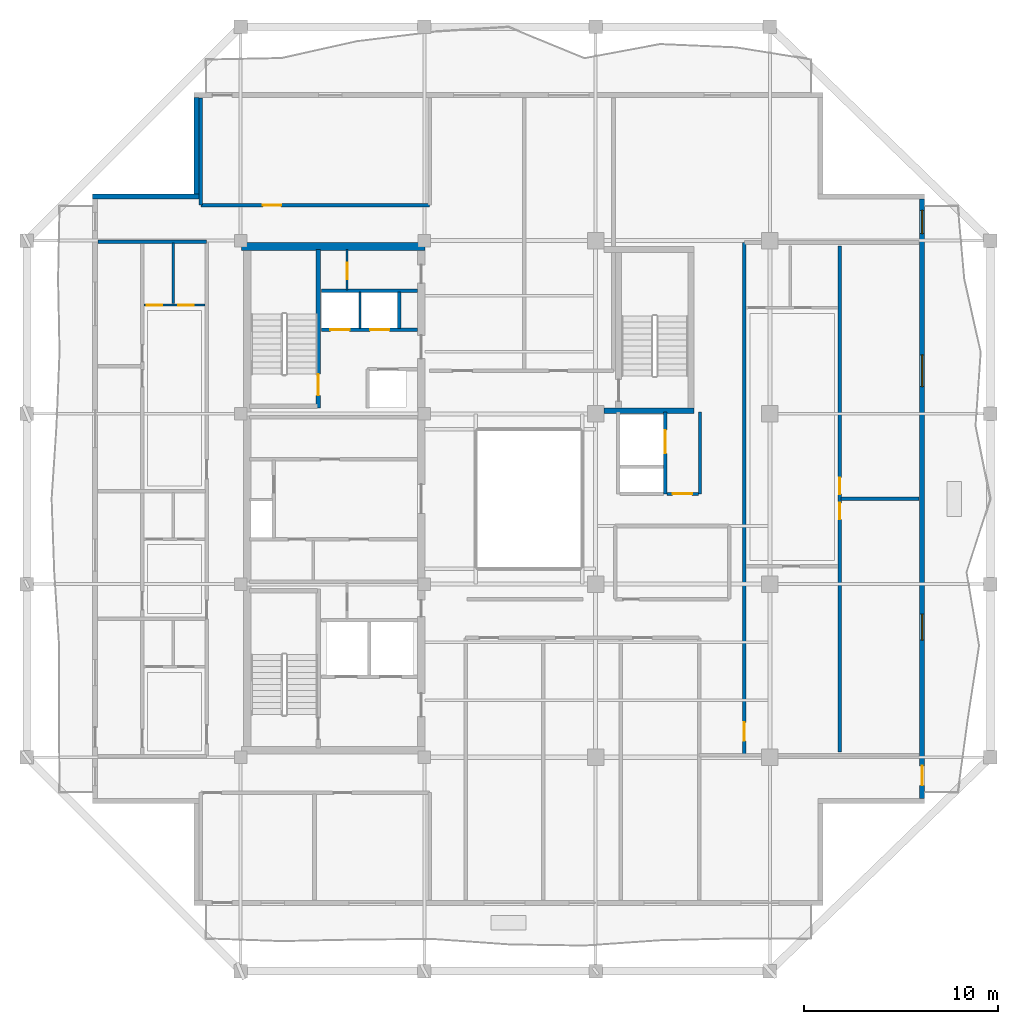
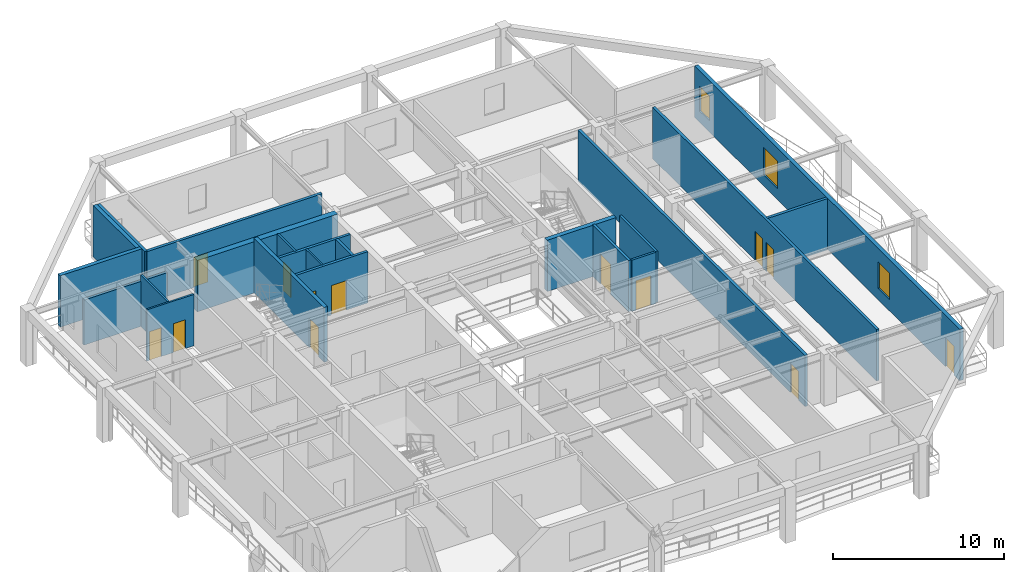
# One storey, part 5 of 11: 22 walls, 13 doors, 3 windows, 16 openings.
"""IFC4 building model written with IfcOpenShell, lengths in metres."""

from ifc_helpers import new_model, si_unit, direction, frame, frame_2d, origin, place, context, subcontext, project, spatial, rectangle, extrude, material, layer, layer_set, type_object, element, fill, save


model = new_model("IFC4")

# Units and contexts
model_context = context("Model", 3, precision=1e-05, world=origin(), true_north=direction((0.0, 1.0)))
body_context = subcontext(model_context, "Body", "Model", "MODEL_VIEW")
ifc_project = project(units=[si_unit("LENGTHUNIT", "METRE"), si_unit("AREAUNIT", "SQUARE_METRE"), si_unit("VOLUMEUNIT", "CUBIC_METRE"), si_unit("PLANEANGLEUNIT", "RADIAN"), si_unit("MASSUNIT", "GRAM", prefix="KILO")], contexts=[model_context])

# Site, building, storey
site_placement = place(None, origin())
site = spatial("IfcSite", under=ifc_project, at=site_placement, CompositionType="ELEMENT")
building_placement = place(site_placement, origin())
building = spatial("IfcBuilding", under=site, at=building_placement, Name="Kundavana Baori Tower", CompositionType="ELEMENT")
storey_placement = place(building_placement, frame((0.0, 0.0, 264.800048828125)))
storey = spatial("IfcBuildingStorey", under=building, at=storey_placement, Name="L65", CompositionType="ELEMENT", Elevation=264.800048828125)

# Wall
ifc_material_1 = material(Name="Concrete C50/60", Category="concrete")
ifc_layer_1 = layer(ifc_material_1, 0.39990234375, Name="WL-CORE-400")
ifc_layer_set_1 = layer_set([ifc_layer_1], Name="Concrete C50/60")
wall_type_1 = type_object("IfcWallType", Name="WL-CORE-400", PredefinedType="SHEAR", material=ifc_layer_set_1)
wall_1_placement = place(storey_placement, frame((15.5, 41.639892578125, 0.0), z_axis=(0.0, 0.0, 1.0), x_axis=(1.0, 0.0, 0.0)))
element("IfcWall", 1, at=wall_1_placement, inside=storey, type_object=wall_type_1, Name="L65 Offset Core North Shear Wall", PredefinedType="SHEAR", context=body_context, shape_type="SweptSolid", body=[
    extrude(rectangle(XDim=9.47998046875, YDim=0.39990234375, at=frame_2d((4.739990234375, 0.0))), origin(), (0.0, 0.0, 1.0), 3.659912109375),
])

# Wall, opening, door
wall_2_placement = place(storey_placement, frame((19.4599609375, 33.300048828125, 0.0), z_axis=(0.0, 0.0, 1.0), x_axis=(0.0, 1.0, 0.0)))
wall_2 = element("IfcWall", 2, at=wall_2_placement, inside=storey, type_object=wall_type_1, Name="WL-L65-ST2-E", PredefinedType="SHEAR", context=body_context, shape_type="SweptSolid", body=[
    extrude(rectangle(XDim=8.179931640625, YDim=0.239990234375, at=frame_2d((4.08984375, 0.0))), origin(), (0.0, 0.0, 1.0), 3.89990234375),
])
opening_1_placement = place(wall_2_placement, frame((0.64990234375, 0.0, 0.0)))
opening_1 = element("IfcOpeningElement", 3, at=opening_1_placement, cuts=wall_2, Name="Opening FD-110", PredefinedType="OPENING", context=body_context, shape_type="SweptSolid", body=[
    extrude(rectangle(XDim=1.10009765625, YDim=2.10009765625, at=frame_2d((0.550048828125, 1.050048828125))), frame((0.0, 0.1298828125, 0.0), z_axis=(0.0, -1.0, 0.0), x_axis=(1.0, 0.0, 0.0)), (0.0, 0.0, 1.0), 0.260009765625),
])
ifc_material_2 = material(Name="Galvanised Steel Fire-Rated Door Leaf", Category="steel")
door_type_1 = type_object("IfcDoorType", Name="DR-FD120-1100", OperationType="NOTDEFINED", PredefinedType="DOOR", material=ifc_material_2)
door_1_placement = place(opening_1_placement, origin())
door_1 = element("IfcDoor", 4, at=door_1_placement, inside=storey, type_object=door_type_1, Name="DR-L65-ST2", OperationType="SINGLE_SWING_RIGHT", OverallHeight=2.10009765625, OverallWidth=1.10009765625, PredefinedType="DOOR", context=body_context, shape_type="SweptSolid", body=[
    extrude(rectangle(XDim=1.10009765625, YDim=2.10009765625, at=frame_2d((0.550048828125, 1.050048828125))), frame((0.0, 0.02490234375, 0.0), z_axis=(0.0, -1.0, 0.0), x_axis=(1.0, 0.0, 0.0)), (0.0, 0.0, 1.0), 0.050048828125),
])
fill(opening_1, door_1)

# Wall, openings, door, windows
ifc_material_3 = material(Name="Kiln-Fired Terracotta Brick-Slip Masonry on Concrete C40/50", Category="masonry")
ifc_layer_2 = layer(ifc_material_3, 0.260009765625, Name="WL-EXT-BRK-260")
ifc_layer_set_2 = layer_set([ifc_layer_2], Name="Kiln-Fired Terracotta Brick-Slip Masonry on Concrete C40/50")
wall_type_2 = type_object("IfcWallType", Name="WL-EXT-BRK-260", PredefinedType="SOLIDWALL", material=ifc_layer_set_2)
wall_3_placement = place(storey_placement, frame((50.669921875, 13.110107421875, 0.0), z_axis=(0.0, 0.0, 1.0), x_axis=(0.0, 1.0, 0.0)))
wall_3 = element("IfcWall", 5, at=wall_3_placement, inside=storey, type_object=wall_type_2, Name="L65 Exterior Insulated Facade Wall 04", PredefinedType="SOLIDWALL", context=body_context, shape_type="SweptSolid", body=[
    extrude(rectangle(XDim=30.97998046875, YDim=0.260009765625, at=frame_2d((15.489990234375, 0.0))), origin(), (0.0, 0.0, 1.0), 3.659912109375),
])
opening_2_placement = place(wall_3_placement, frame((0.68994140625, 0.0, 0.0)))
opening_2 = element("IfcOpeningElement", 6, at=opening_2_placement, cuts=wall_3, Name="Opening BD-1", PredefinedType="OPENING", context=body_context, shape_type="SweptSolid", body=[
    extrude(rectangle(XDim=1.0, YDim=2.050048828125, at=frame_2d((0.5, 1.02490234375))), frame((0.0, 0.14013671875, 0.0), z_axis=(0.0, -1.0, 0.0), x_axis=(1.0, 0.0, 0.0)), (0.0, 0.0, 1.0), 0.280029296875),
])
opening_3_placement = place(wall_3_placement, frame((8.18994140625, 0.0, 0.800048828125)))
opening_3 = element("IfcOpeningElement", 7, at=opening_3_placement, cuts=wall_3, Name="Opening W-07", PredefinedType="OPENING", context=body_context, shape_type="SweptSolid", body=[
    extrude(rectangle(XDim=1.35009765625, YDim=1.89990234375, at=frame_2d((0.675048828125, 0.949951171875))), frame((0.0, 0.14013671875, 0.0), z_axis=(0.0, -1.0, 0.0), x_axis=(1.0, 0.0, 0.0)), (0.0, 0.0, 1.0), 0.280029296875),
])
opening_4_placement = place(wall_3_placement, frame((21.2900390625, 0.0, 0.800048828125)))
opening_4 = element("IfcOpeningElement", 8, at=opening_4_placement, cuts=wall_3, Name="Opening W-08", PredefinedType="OPENING", context=body_context, shape_type="SweptSolid", body=[
    extrude(rectangle(XDim=1.64990234375, YDim=1.949951171875, at=frame_2d((0.824951171875, 0.97509765625))), frame((0.0, 0.14013671875, 0.0), z_axis=(0.0, -1.0, 0.0), x_axis=(1.0, 0.0, 0.0)), (0.0, 0.0, 1.0), 0.280029296875),
])
opening_5_placement = place(wall_3_placement, frame((29.205078125, 0.0, 0.800048828125)))
opening_5 = element("IfcOpeningElement", 9, at=opening_5_placement, cuts=wall_3, Name="Opening W-03", PredefinedType="OPENING", context=body_context, shape_type="SweptSolid", body=[
    extrude(rectangle(XDim=1.199951171875, YDim=1.75, at=frame_2d((0.60009765625, 0.875))), frame((0.0, 0.14013671875, 0.0), z_axis=(0.0, -1.0, 0.0), x_axis=(1.0, 0.0, 0.0)), (0.0, 0.0, 1.0), 0.280029296875),
])
ifc_material_4 = material(Name="Architectural Patinated Bronze Metalwork")
door_type_2 = type_object("IfcDoorType", Name="DR-EXT-LOG-1000", OperationType="NOTDEFINED", PredefinedType="DOOR", material=ifc_material_4)
door_2_placement = place(opening_2_placement, frame((1.0, 0.0, 0.0), z_axis=(0.0, 0.0, 1.0), x_axis=(-1.0, 0.0, 0.0)))
door_2 = element("IfcDoor", 10, at=door_2_placement, inside=storey, type_object=door_type_2, Name="L65 Loggia Balcony Access Door E", OperationType="SINGLE_SWING_RIGHT", OverallHeight=2.050048828125, OverallWidth=1.0, PredefinedType="DOOR", context=body_context, shape_type="SweptSolid", body=[
    extrude(rectangle(XDim=1.0, YDim=2.050048828125, at=frame_2d((0.5, 1.02490234375))), frame((0.0, 0.02490234375, 0.0), z_axis=(0.0, -1.0, 0.0), x_axis=(1.0, 0.0, 0.0)), (0.0, 0.0, 1.0), 0.050048828125),
])
fill(opening_2, door_2)
ifc_material_5 = material(Name="Double-Glazed Solar-Control Low-E Insulated Glass", Category="glass")
window_type_1 = type_object("IfcWindowType", Name="WIN-LOG-1200x1750", PartitioningType="SINGLE_PANEL", PredefinedType="WINDOW", material=ifc_material_5)
window_1_placement = place(opening_5_placement, origin())
window_1 = element("IfcWindow", 11, at=window_1_placement, inside=storey, type_object=window_type_1, Name="L65 Recessed Loggia Window E-4", OverallHeight=1.75, OverallWidth=1.199951171875, PartitioningType="SINGLE_PANEL", PredefinedType="WINDOW", context=body_context, shape_type="SweptSolid", body=[
    extrude(rectangle(XDim=1.199951171875, YDim=1.75, at=frame_2d((0.60009765625, 0.875))), frame((0.0, 0.030029296875, 0.0), z_axis=(0.0, -1.0, 0.0), x_axis=(1.0, 0.0, 0.0)), (0.0, 0.0, 1.0), 0.06005859375),
])
fill(opening_5, window_1)
ifc_material_6 = material(Name="Double-Glazed Solar-Control Low-E Insulated Glass", Category="glass")
window_type_2 = type_object("IfcWindowType", Name="WIN-LOG-1350x1900", PartitioningType="SINGLE_PANEL", PredefinedType="WINDOW", material=ifc_material_6)
window_2_placement = place(opening_3_placement, origin())
window_2 = element("IfcWindow", 12, at=window_2_placement, inside=storey, type_object=window_type_2, Name="L65 Recessed Loggia Window E-2", OverallHeight=1.89990234375, OverallWidth=1.35009765625, PartitioningType="SINGLE_PANEL", PredefinedType="WINDOW", context=body_context, shape_type="SweptSolid", body=[
    extrude(rectangle(XDim=1.35009765625, YDim=1.89990234375, at=frame_2d((0.675048828125, 0.949951171875))), frame((0.0, 0.030029296875, 0.0), z_axis=(0.0, -1.0, 0.0), x_axis=(1.0, 0.0, 0.0)), (0.0, 0.0, 1.0), 0.06005859375),
])
fill(opening_3, window_2)
ifc_material_7 = material(Name="Double-Glazed Solar-Control Low-E Insulated Glass", Category="glass")
window_type_3 = type_object("IfcWindowType", Name="WIN-LOG-1650x1950", PartitioningType="SINGLE_PANEL", PredefinedType="WINDOW", material=ifc_material_7)
window_3_placement = place(opening_4_placement, origin())
window_3 = element("IfcWindow", 13, at=window_3_placement, inside=storey, type_object=window_type_3, Name="L65 Recessed Loggia Window E-3", OverallHeight=1.949951171875, OverallWidth=1.64990234375, PartitioningType="SINGLE_PANEL", PredefinedType="WINDOW", context=body_context, shape_type="SweptSolid", body=[
    extrude(rectangle(XDim=1.64990234375, YDim=1.949951171875, at=frame_2d((0.824951171875, 0.97509765625))), frame((0.0, 0.030029296875, 0.0), z_axis=(0.0, -1.0, 0.0), x_axis=(1.0, 0.0, 0.0)), (0.0, 0.0, 1.0), 0.06005859375),
])
fill(opening_4, window_3)

# Walls
wall_4_placement = place(storey_placement, frame((13.179931640625, 49.340087890625, 0.0), z_axis=(0.0, 0.0, 1.0), x_axis=(0.0, -1.0, 0.0)))
element("IfcWall", 14, at=wall_4_placement, inside=storey, type_object=wall_type_2, Name="L65 Exterior Insulated Facade Wall 08", PredefinedType="SOLIDWALL", context=body_context, shape_type="SweptSolid", body=[
    extrude(rectangle(XDim=4.989990234375, YDim=0.260009765625, at=frame_2d((2.4951171875, 0.0))), origin(), (0.0, 0.0, 1.0), 3.659912109375),
])
wall_5_placement = place(storey_placement, frame((13.31005859375, 44.219970703125, 0.0), z_axis=(0.0, 0.0, 1.0), x_axis=(-1.0, 0.0, 0.0)))
element("IfcWall", 15, at=wall_5_placement, inside=storey, type_object=wall_type_2, Name="L65 Exterior Insulated Facade Wall 09", PredefinedType="SOLIDWALL", context=body_context, shape_type="SweptSolid", body=[
    extrude(rectangle(XDim=5.510009765625, YDim=0.260009765625, at=frame_2d((2.7548828125, 0.0))), origin(), (0.0, 0.0, 1.0), 3.659912109375),
])
ifc_material_8 = material(Name="Acoustic Gypsum Plasterboard on Galvanised Steel Studs", Category="steel")
ifc_layer_3 = layer(ifc_material_8, 0.1201171875, Name="WL-PART-120")
ifc_layer_set_3 = layer_set([ifc_layer_3], Name="Acoustic Gypsum Plasterboard on Galvanised Steel Studs")
wall_type_3 = type_object("IfcWallType", Name="WL-PART-120", PredefinedType="PARTITIONING", material=ifc_layer_set_3)
wall_6_placement = place(storey_placement, frame((21.6201171875, 37.39990234375, 0.0), z_axis=(0.0, 0.0, 1.0), x_axis=(0.0, 1.0, 0.0)))
element("IfcWall", 16, at=wall_6_placement, inside=storey, type_object=wall_type_3, Name="WL-L65-HR-DIV1", PredefinedType="PARTITIONING", context=body_context, shape_type="SweptSolid", body=[
    extrude(rectangle(XDim=1.900146484375, YDim=0.1201171875, at=frame_2d((0.9501953125, 0.0))), origin(), (0.0, 0.0, 1.0), 3.659912109375),
])

# Wall, opening, door
wall_7_placement = place(storey_placement, frame((20.949951171875, 39.39990234375, 0.0), z_axis=(0.0, 0.0, 1.0), x_axis=(0.0, 1.0, 0.0)))
wall_7 = element("IfcWall", 17, at=wall_7_placement, inside=storey, type_object=wall_type_3, Name="WL-L65-CSRV-D2", PredefinedType="PARTITIONING", context=body_context, shape_type="SweptSolid", body=[
    extrude(rectangle(XDim=2.080078125, YDim=0.1201171875, at=frame_2d((1.0400390625, 0.0))), origin(), (0.0, 0.0, 1.0), 3.659912109375),
])
opening_6_placement = place(wall_7_placement, frame((0.550048828125, 0.0, 0.0)))
opening_6 = element("IfcOpeningElement", 18, at=opening_6_placement, cuts=wall_7, Name="Opening FD-085", PredefinedType="OPENING", context=body_context, shape_type="SweptSolid", body=[
    extrude(rectangle(XDim=0.85009765625, YDim=2.06005859375, at=frame_2d((0.425048828125, 1.030029296875))), frame((0.0, 0.070068359375, 0.0), z_axis=(0.0, -1.0, 0.0), x_axis=(1.0, 0.0, 0.0)), (0.0, 0.0, 1.0), 0.14013671875),
])
ifc_material_9 = material(Name="Galvanised Steel Fire-Rated Door Leaf", Category="steel")
door_type_3 = type_object("IfcDoorType", Name="DR-FD60-850", OperationType="NOTDEFINED", PredefinedType="DOOR", material=ifc_material_9)
door_3_placement = place(opening_6_placement, origin())
door_3 = element("IfcDoor", 19, at=door_3_placement, inside=storey, type_object=door_type_3, Name="DR-L65-CSRV1", OperationType="SINGLE_SWING_RIGHT", OverallHeight=2.06005859375, OverallWidth=0.85009765625, PredefinedType="DOOR", context=body_context, shape_type="SweptSolid", body=[
    extrude(rectangle(XDim=0.85009765625, YDim=2.06005859375, at=frame_2d((0.425048828125, 1.030029296875))), frame((0.0, 0.02490234375, 0.0), z_axis=(0.0, -1.0, 0.0), x_axis=(1.0, 0.0, 0.0)), (0.0, 0.0, 1.0), 0.050048828125),
])
fill(opening_6, door_3)

# Wall
ifc_material_10 = material(Name="Fire-Rated Gypsum Drywall on Galvanised Steel Studs", Category="steel")
ifc_layer_4 = layer(ifc_material_10, 0.14990234375, Name="WL-PART-150")
ifc_layer_set_4 = layer_set([ifc_layer_4], Name="Fire-Rated Gypsum Drywall on Galvanised Steel Studs")
wall_type_4 = type_object("IfcWallType", Name="WL-PART-150", PredefinedType="PARTITIONING", material=ifc_layer_set_4)
wall_8_placement = place(storey_placement, frame((39.199951171875, 28.860107421875, 0.0), z_axis=(0.0, 0.0, 1.0), x_axis=(0.0, 1.0, 0.0)))
element("IfcWall", 20, at=wall_8_placement, inside=storey, type_object=wall_type_4, Name="WL-L65-SVLOB-E", PredefinedType="PARTITIONING", context=body_context, shape_type="SweptSolid", body=[
    extrude(rectangle(XDim=4.219970703125, YDim=0.14990234375, at=frame_2d((2.10986328125, 0.0))), origin(), (0.0, 0.0, 1.0), 3.659912109375),
])

# Wall, opening, door
wall_9_placement = place(storey_placement, frame((37.47998046875, 28.860107421875, 0.0), z_axis=(0.0, 0.0, 1.0), x_axis=(1.0, 0.0, 0.0)))
wall_9 = element("IfcWall", 21, at=wall_9_placement, inside=storey, type_object=wall_type_4, Name="WL-L65-SVLOB-S", PredefinedType="PARTITIONING", context=body_context, shape_type="SweptSolid", body=[
    extrude(rectangle(XDim=1.64013671875, YDim=0.14990234375, at=frame_2d((0.820068359375, 0.0))), origin(), (0.0, 0.0, 1.0), 3.659912109375),
])
opening_7_placement = place(wall_9_placement, frame((0.300048828125, 0.0, 0.0)))
opening_7 = element("IfcOpeningElement", 22, at=opening_7_placement, cuts=wall_9, Name="Opening FD-100", PredefinedType="OPENING", context=body_context, shape_type="SweptSolid", body=[
    extrude(rectangle(XDim=1.0, YDim=2.10009765625, at=frame_2d((0.5, 1.050048828125))), frame((0.0, 0.0849609375, 0.0), z_axis=(0.0, -1.0, 0.0), x_axis=(1.0, 0.0, 0.0)), (0.0, 0.0, 1.0), 0.169921875),
])
ifc_material_11 = material(Name="Engineered Teak Fire-Rated Timber Door Leaf", Category="wood")
door_type_4 = type_object("IfcDoorType", Name="DR-FD60-1000", OperationType="NOTDEFINED", PredefinedType="DOOR", material=ifc_material_11)
door_4_placement = place(opening_7_placement, origin())
door_4 = element("IfcDoor", 23, at=door_4_placement, inside=storey, type_object=door_type_4, Name="DR-L65-SVLOB-OUT", OperationType="SINGLE_SWING_LEFT", OverallHeight=2.10009765625, OverallWidth=1.0, PredefinedType="DOOR", context=body_context, shape_type="SweptSolid", body=[
    extrude(rectangle(XDim=1.0, YDim=2.10009765625, at=frame_2d((0.5, 1.050048828125))), frame((0.0, 0.02490234375, 0.0), z_axis=(0.0, -1.0, 0.0), x_axis=(1.0, 0.0, 0.0)), (0.0, 0.0, 1.0), 0.050048828125),
])
fill(opening_7, door_4)

ifc_material_12 = material(Name="Autoclaved Aerated Concrete Blockwork Masonry", Category="masonry")
ifc_layer_5 = layer(ifc_material_12, 0.18505859375, Name="WL-PART-180")
ifc_layer_set_5 = layer_set([ifc_layer_5], Name="Autoclaved Aerated Concrete Blockwork Masonry")
wall_type_5 = type_object("IfcWallType", Name="WL-PART-180", PredefinedType="SOLIDWALL", material=ifc_layer_set_5)
wall_10_placement = place(storey_placement, frame((13.39990234375, 43.780029296875, 0.0), z_axis=(0.0, 0.0, 1.0), x_axis=(1.0, 0.0, 0.0)))
wall_10 = element("IfcWall", 24, at=wall_10_placement, inside=storey, type_object=wall_type_5, Name="WL-L65-RNC", PredefinedType="SOLIDWALL", context=body_context, shape_type="SweptSolid", body=[
    extrude(rectangle(XDim=11.820068359375, YDim=0.18505859375, at=frame_2d((5.91015625, 0.0))), origin(), (0.0, 0.0, 1.0), 3.659912109375),
])
opening_8_placement = place(wall_10_placement, frame((3.199951171875, 0.0, 0.0)))
opening_8 = element("IfcOpeningElement", 25, at=opening_8_placement, cuts=wall_10, Name="Opening ID-095", PredefinedType="OPENING", context=body_context, shape_type="SweptSolid", body=[
    extrude(rectangle(XDim=0.949951171875, YDim=2.080078125, at=frame_2d((0.47509765625, 1.0400390625))), frame((0.0, 0.1025390625, 0.0), z_axis=(0.0, -1.0, 0.0), x_axis=(1.0, 0.0, 0.0)), (0.0, 0.0, 1.0), 0.205078125),
])
ifc_material_13 = material(Name="Engineered Teak Solid-Core Timber Veneer", Category="wood")
door_type_5 = type_object("IfcDoorType", Name="DR-INT-950", OperationType="NOTDEFINED", PredefinedType="DOOR", material=ifc_material_13)
door_5_placement = place(opening_8_placement, origin())
door_5 = element("IfcDoor", 26, at=door_5_placement, inside=storey, type_object=door_type_5, Name="DR-L65-RMNW", OperationType="SINGLE_SWING_RIGHT", OverallHeight=2.080078125, OverallWidth=0.949951171875, PredefinedType="DOOR", context=body_context, shape_type="SweptSolid", body=[
    extrude(rectangle(XDim=0.949951171875, YDim=2.080078125, at=frame_2d((0.47509765625, 1.0400390625))), frame((0.0, 0.02490234375, 0.0), z_axis=(0.0, -1.0, 0.0), x_axis=(1.0, 0.0, 0.0)), (0.0, 0.0, 1.0), 0.050048828125),
])
fill(opening_8, door_5)

# Walls
wall_11_placement = place(storey_placement, frame((13.39990234375, 43.780029296875, 0.0), z_axis=(0.0, 0.0, 1.0), x_axis=(0.0, 1.0, 0.0)))
element("IfcWall", 27, at=wall_11_placement, inside=storey, type_object=wall_type_5, Name="WL-L65-RNCW", PredefinedType="SOLIDWALL", context=body_context, shape_type="SweptSolid", body=[
    extrude(rectangle(XDim=5.5400390625, YDim=0.18505859375, at=frame_2d((2.77001953125, 0.0))), origin(), (0.0, 0.0, 1.0), 3.659912109375),
])
wall_12_placement = place(storey_placement, frame((8.080078125, 41.89990234375, 0.0), z_axis=(0.0, 0.0, 1.0), x_axis=(1.0, 0.0, 0.0)))
element("IfcWall", 28, at=wall_12_placement, inside=storey, type_object=wall_type_5, Name="WL-L65-RWN", PredefinedType="SOLIDWALL", context=body_context, shape_type="SweptSolid", body=[
    extrude(rectangle(XDim=5.619873046875, YDim=0.18505859375, at=frame_2d((2.81005859375, 0.0))), origin(), (0.0, 0.0, 1.0), 3.2099609375),
])

# Wall, opening, door
wall_13_placement = place(storey_placement, frame((41.47998046875, 15.35009765625, 0.0), z_axis=(0.0, 0.0, 1.0), x_axis=(0.0, 1.0, 0.0)))
wall_13 = element("IfcWall", 29, at=wall_13_placement, inside=storey, type_object=wall_type_5, Name="WL-L65-RE", PredefinedType="SOLIDWALL", context=body_context, shape_type="SweptSolid", body=[
    extrude(rectangle(XDim=26.5, YDim=0.18505859375, at=frame_2d((13.25, 0.0))), origin(), (0.0, 0.0, 1.0), 3.659912109375),
])
opening_9_placement = place(wall_13_placement, frame((0.75, 0.0, 0.0)))
opening_9 = element("IfcOpeningElement", 30, at=opening_9_placement, cuts=wall_13, Name="Opening FD-095", PredefinedType="OPENING", context=body_context, shape_type="SweptSolid", body=[
    extrude(rectangle(XDim=0.949951171875, YDim=2.10009765625, at=frame_2d((0.47509765625, 1.050048828125))), frame((0.0, 0.1025390625, 0.0), z_axis=(0.0, -1.0, 0.0), x_axis=(1.0, 0.0, 0.0)), (0.0, 0.0, 1.0), 0.205078125),
])
ifc_material_14 = material(Name="Engineered Teak Fire-Rated Timber Door Leaf", Category="wood")
door_type_6 = type_object("IfcDoorType", Name="DR-FD60-950", OperationType="NOTDEFINED", PredefinedType="DOOR", material=ifc_material_14)
door_6_placement = place(opening_9_placement, origin())
door_6 = element("IfcDoor", 31, at=door_6_placement, inside=storey, type_object=door_type_6, Name="DR-L65-E1-ENT", OperationType="SINGLE_SWING_LEFT", OverallHeight=2.10009765625, OverallWidth=0.949951171875, PredefinedType="DOOR", context=body_context, shape_type="SweptSolid", body=[
    extrude(rectangle(XDim=0.949951171875, YDim=2.10009765625, at=frame_2d((0.47509765625, 1.050048828125))), frame((0.0, 0.02490234375, 0.0), z_axis=(0.0, -1.0, 0.0), x_axis=(1.0, 0.0, 0.0)), (0.0, 0.0, 1.0), 0.050048828125),
])
fill(opening_9, door_6)

# Wall, openings, doors
wall_14_placement = place(storey_placement, frame((46.407958984375, 15.530029296875, 0.0), z_axis=(0.0, 0.0, 1.0), x_axis=(0.0, 1.0, 0.0)))
wall_14 = element("IfcWall", 32, at=wall_14_placement, inside=storey, type_object=wall_type_5, Name="WL-L65-E1-VT", PredefinedType="SOLIDWALL", context=body_context, shape_type="SweptSolid", body=[
    extrude(rectangle(XDim=26.139892578125, YDim=0.18505859375, at=frame_2d((13.06982421875, 0.0))), origin(), (0.0, 0.0, 1.0), 3.659912109375),
])
opening_10_placement = place(wall_14_placement, frame((12.02001953125, 0.0, 0.0)))
opening_10 = element("IfcOpeningElement", 33, at=opening_10_placement, cuts=wall_14, Name="Opening ID-085", PredefinedType="OPENING", context=body_context, shape_type="SweptSolid", body=[
    extrude(rectangle(XDim=0.85009765625, YDim=2.080078125, at=frame_2d((0.425048828125, 1.0400390625))), frame((0.0, 0.1025390625, 0.0), z_axis=(0.0, -1.0, 0.0), x_axis=(1.0, 0.0, 0.0)), (0.0, 0.0, 1.0), 0.205078125),
])
opening_11_placement = place(wall_14_placement, frame((13.320068359375, 0.0, 0.0)))
opening_11 = element("IfcOpeningElement", 34, at=opening_11_placement, cuts=wall_14, Name="Opening ID-085", PredefinedType="OPENING", context=body_context, shape_type="SweptSolid", body=[
    extrude(rectangle(XDim=0.85009765625, YDim=2.080078125, at=frame_2d((0.425048828125, 1.0400390625))), frame((0.0, 0.1025390625, 0.0), z_axis=(0.0, -1.0, 0.0), x_axis=(1.0, 0.0, 0.0)), (0.0, 0.0, 1.0), 0.205078125),
])
ifc_material_15 = material(Name="Engineered Teak Solid-Core Timber Veneer", Category="wood")
door_type_7 = type_object("IfcDoorType", Name="DR-INT-850", OperationType="NOTDEFINED", PredefinedType="DOOR", material=ifc_material_15)
door_7_placement = place(opening_10_placement, origin())
door_7 = element("IfcDoor", 35, at=door_7_placement, inside=storey, type_object=door_type_7, Name="DR-L65-E1-B1", OperationType="SINGLE_SWING_LEFT", OverallHeight=2.080078125, OverallWidth=0.85009765625, PredefinedType="DOOR", context=body_context, shape_type="SweptSolid", body=[
    extrude(rectangle(XDim=0.85009765625, YDim=2.080078125, at=frame_2d((0.425048828125, 1.0400390625))), frame((0.0, 0.02490234375, 0.0), z_axis=(0.0, -1.0, 0.0), x_axis=(1.0, 0.0, 0.0)), (0.0, 0.0, 1.0), 0.050048828125),
])
fill(opening_10, door_7)
door_8_placement = place(opening_11_placement, origin())
door_8 = element("IfcDoor", 36, at=door_8_placement, inside=storey, type_object=door_type_7, Name="DR-L65-E1-B2", OperationType="SINGLE_SWING_RIGHT", OverallHeight=2.080078125, OverallWidth=0.85009765625, PredefinedType="DOOR", context=body_context, shape_type="SweptSolid", body=[
    extrude(rectangle(XDim=0.85009765625, YDim=2.080078125, at=frame_2d((0.425048828125, 1.0400390625))), frame((0.0, 0.02490234375, 0.0), z_axis=(0.0, -1.0, 0.0), x_axis=(1.0, 0.0, 0.0)), (0.0, 0.0, 1.0), 0.050048828125),
])
fill(opening_11, door_8)

# Wall
wall_15_placement = place(storey_placement, frame((46.488037109375, 28.60009765625, 0.0), z_axis=(0.0, 0.0, 1.0), x_axis=(1.0, 0.0, 0.0)))
element("IfcWall", 37, at=wall_15_placement, inside=storey, type_object=wall_type_5, Name="WL-L65-E1-BDH", PredefinedType="SOLIDWALL", context=body_context, shape_type="SweptSolid", body=[
    extrude(rectangle(XDim=4.031982421875, YDim=0.18505859375, at=frame_2d((2.01611328125, 0.0))), origin(), (0.0, 0.0, 1.0), 3.659912109375),
])

# Wall, openings, doors
ifc_material_16 = material(Name="Autoclaved Aerated Concrete Blockwork Masonry", Category="masonry")
ifc_layer_6 = layer(ifc_material_16, 0.179931640625, Name="WL-SHAFT-180")
ifc_layer_set_6 = layer_set([ifc_layer_6], Name="Autoclaved Aerated Concrete Blockwork Masonry")
wall_type_6 = type_object("IfcWallType", Name="WL-SHAFT-180", PredefinedType="SOLIDWALL", material=ifc_layer_set_6)
wall_16_placement = place(storey_placement, frame((19.639892578125, 37.340087890625, 0.0), z_axis=(0.0, 0.0, 1.0), x_axis=(1.0, 0.0, 0.0)))
wall_16 = element("IfcWall", 38, at=wall_16_placement, inside=storey, type_object=wall_type_6, Name="WL-L65-HRLOB-N", PredefinedType="SOLIDWALL", context=body_context, shape_type="SweptSolid", body=[
    extrude(rectangle(XDim=4.940185546875, YDim=0.179931640625, at=frame_2d((2.47021484375, 0.0))), origin(), (0.0, 0.0, 1.0), 3.659912109375),
])
opening_12_placement = place(wall_16_placement, frame((0.449951171875, 0.0, 0.0)))
opening_12 = element("IfcOpeningElement", 39, at=opening_12_placement, cuts=wall_16, Name="Opening LD-100", PredefinedType="OPENING", context=body_context, shape_type="SweptSolid", body=[
    extrude(rectangle(XDim=1.0, YDim=2.10009765625, at=frame_2d((0.5, 1.050048828125))), frame((0.0, 0.10009765625, 0.0), z_axis=(0.0, -1.0, 0.0), x_axis=(1.0, 0.0, 0.0)), (0.0, 0.0, 1.0), 0.199951171875),
])
opening_13_placement = place(wall_16_placement, frame((2.5, 0.0, 0.0)))
opening_13 = element("IfcOpeningElement", 40, at=opening_13_placement, cuts=wall_16, Name="Opening LD-100", PredefinedType="OPENING", context=body_context, shape_type="SweptSolid", body=[
    extrude(rectangle(XDim=1.0, YDim=2.10009765625, at=frame_2d((0.5, 1.050048828125))), frame((0.0, 0.10009765625, 0.0), z_axis=(0.0, -1.0, 0.0), x_axis=(1.0, 0.0, 0.0)), (0.0, 0.0, 1.0), 0.199951171875),
])
ifc_material_17 = material(Name="Galvanised Steel Fire-Rated Door Leaf", Category="steel")
door_type_8 = type_object("IfcDoorType", Name="DR-SLIDE-LD1000", OperationType="NOTDEFINED", PredefinedType="DOOR", material=ifc_material_17)
door_9_placement = place(opening_12_placement, frame((1.0, 0.0, 0.0), z_axis=(0.0, 0.0, 1.0), x_axis=(-1.0, 0.0, 0.0)))
door_9 = element("IfcDoor", 41, at=door_9_placement, inside=storey, type_object=door_type_8, Name="DR-L65-LD-LP09", OperationType="DOUBLE_DOOR_SLIDING", OverallHeight=2.10009765625, OverallWidth=1.0, PredefinedType="DOOR", context=body_context, shape_type="SweptSolid", body=[
    extrude(rectangle(XDim=1.0, YDim=2.10009765625, at=frame_2d((0.5, 1.050048828125))), frame((0.0, 0.02490234375, 0.0), z_axis=(0.0, -1.0, 0.0), x_axis=(1.0, 0.0, 0.0)), (0.0, 0.0, 1.0), 0.050048828125),
])
fill(opening_12, door_9)
door_10_placement = place(opening_13_placement, frame((1.0, 0.0, 0.0), z_axis=(0.0, 0.0, 1.0), x_axis=(-1.0, 0.0, 0.0)))
door_10 = element("IfcDoor", 42, at=door_10_placement, inside=storey, type_object=door_type_8, Name="DR-L65-LD-LP10", OperationType="DOUBLE_DOOR_SLIDING", OverallHeight=2.10009765625, OverallWidth=1.0, PredefinedType="DOOR", context=body_context, shape_type="SweptSolid", body=[
    extrude(rectangle(XDim=1.0, YDim=2.10009765625, at=frame_2d((0.5, 1.050048828125))), frame((0.0, 0.02490234375, 0.0), z_axis=(0.0, -1.0, 0.0), x_axis=(1.0, 0.0, 0.0)), (0.0, 0.0, 1.0), 0.050048828125),
])
fill(opening_13, door_10)

# Walls
wall_17_placement = place(storey_placement, frame((19.639892578125, 39.360107421875, 0.0), z_axis=(0.0, 0.0, 1.0), x_axis=(1.0, 0.0, 0.0)))
element("IfcWall", 43, at=wall_17_placement, inside=storey, type_object=wall_type_6, Name="WL-L65-HRLOB-TOP", PredefinedType="SOLIDWALL", context=body_context, shape_type="SweptSolid", body=[
    extrude(rectangle(XDim=4.940185546875, YDim=0.179931640625, at=frame_2d((2.47021484375, 0.0))), origin(), (0.0, 0.0, 1.0), 3.659912109375),
])
wall_18_placement = place(storey_placement, frame((23.659912109375, 37.39990234375, 0.0), z_axis=(0.0, 0.0, 1.0), x_axis=(0.0, 1.0, 0.0)))
element("IfcWall", 44, at=wall_18_placement, inside=storey, type_object=wall_type_6, Name="WL-L65-HR-DIV2", PredefinedType="SOLIDWALL", context=body_context, shape_type="SweptSolid", body=[
    extrude(rectangle(XDim=1.900146484375, YDim=0.179931640625, at=frame_2d((0.9501953125, 0.0))), origin(), (0.0, 0.0, 1.0), 3.659912109375),
])

# Wall, opening, door
wall_19_placement = place(storey_placement, frame((37.389892578125, 28.860107421875, 0.0), z_axis=(0.0, 0.0, 1.0), x_axis=(0.0, 1.0, 0.0)))
wall_19 = element("IfcWall", 45, at=wall_19_placement, inside=storey, type_object=wall_type_6, Name="WL-L65-SVL-E", PredefinedType="SOLIDWALL", context=body_context, shape_type="SweptSolid", body=[
    extrude(rectangle(XDim=4.219970703125, YDim=0.179931640625, at=frame_2d((2.10986328125, 0.0))), origin(), (0.0, 0.0, 1.0), 3.659912109375),
])
opening_14_placement = place(wall_19_placement, frame((2.10009765625, 0.0, 0.0)))
opening_14 = element("IfcOpeningElement", 46, at=opening_14_placement, cuts=wall_19, Name="Opening LD-120", PredefinedType="OPENING", context=body_context, shape_type="SweptSolid", body=[
    extrude(rectangle(XDim=1.199951171875, YDim=2.1201171875, at=frame_2d((0.60009765625, 1.06005859375))), frame((0.0, 0.10009765625, 0.0), z_axis=(0.0, -1.0, 0.0), x_axis=(1.0, 0.0, 0.0)), (0.0, 0.0, 1.0), 0.199951171875),
])
ifc_material_18 = material(Name="Galvanised Steel Fire-Rated Door Leaf", Category="steel")
door_type_9 = type_object("IfcDoorType", Name="DR-SLIDE-LD1200", OperationType="NOTDEFINED", PredefinedType="DOOR", material=ifc_material_18)
door_11_placement = place(opening_14_placement, frame((1.199951171875, 0.0, 0.0), z_axis=(0.0, 0.0, 1.0), x_axis=(-1.0, 0.0, 0.0)))
door_11 = element("IfcDoor", 47, at=door_11_placement, inside=storey, type_object=door_type_9, Name="DR-L65-LD-SVL1", OperationType="DOUBLE_DOOR_SLIDING", OverallHeight=2.1201171875, OverallWidth=1.199951171875, PredefinedType="DOOR", context=body_context, shape_type="SweptSolid", body=[
    extrude(rectangle(XDim=1.199951171875, YDim=2.1201171875, at=frame_2d((0.60009765625, 1.06005859375))), frame((0.0, 0.02490234375, 0.0), z_axis=(0.0, -1.0, 0.0), x_axis=(1.0, 0.0, 0.0)), (0.0, 0.0, 1.0), 0.050048828125),
])
fill(opening_14, door_11)

# Wall
ifc_material_19 = material(Name="Concrete C50/60", Category="concrete")
ifc_layer_7 = layer(ifc_material_19, 0.300048828125, Name="WL-ST3-300")
ifc_layer_set_7 = layer_set([ifc_layer_7], Name="Concrete C50/60")
wall_type_7 = type_object("IfcWallType", Name="WL-ST3-300", PredefinedType="SHEAR", material=ifc_layer_set_7)
wall_20_placement = place(storey_placement, frame((34.22509765625, 33.159912109375, 0.0), z_axis=(0.0, 0.0, 1.0), x_axis=(1.0, 0.0, 0.0)))
element("IfcWall", 48, at=wall_20_placement, inside=storey, type_object=wall_type_7, Name="L65 Stair ST3 South Shear Wall", PredefinedType="SHEAR", context=body_context, shape_type="SweptSolid", body=[
    extrude(rectangle(XDim=4.64501953125, YDim=0.300048828125, at=frame_2d((2.322509765625, 0.0))), origin(), (0.0, 0.0, 1.0), 3.659912109375),
])

# Wall, openings, doors
ifc_material_20 = material(Name="Autoclaved Aerated Concrete Blockwork Masonry", Category="masonry")
ifc_layer_8 = layer(ifc_material_20, 0.125, Name="WL-WET-120")
ifc_layer_set_8 = layer_set([ifc_layer_8], Name="Autoclaved Aerated Concrete Blockwork Masonry")
wall_type_8 = type_object("IfcWallType", Name="WL-WET-120", PredefinedType="PLUMBINGWALL", material=ifc_layer_set_8)
wall_21_placement = place(storey_placement, frame((10.449951171875, 38.6201171875, 0.0), z_axis=(0.0, 0.0, 1.0), x_axis=(1.0, 0.0, 0.0)))
wall_21 = element("IfcWall", 49, at=wall_21_placement, inside=storey, type_object=wall_type_8, Name="WL-L65-W3-KH", PredefinedType="PLUMBINGWALL", context=body_context, shape_type="SweptSolid", body=[
    extrude(rectangle(XDim=3.170166015625, YDim=0.125, at=frame_2d((1.5849609375, 0.0))), origin(), (0.0, 0.0, 1.0), 3.659912109375),
])
opening_15_placement = place(wall_21_placement, frame((0.159912109375, 0.0, 0.0)))
opening_15 = element("IfcOpeningElement", 50, at=opening_15_placement, cuts=wall_21, Name="Opening WD-080", PredefinedType="OPENING", context=body_context, shape_type="SweptSolid", body=[
    extrude(rectangle(XDim=0.800048828125, YDim=2.050048828125, at=frame_2d((0.39990234375, 1.02490234375))), frame((0.0, 0.072509765625, 0.0), z_axis=(0.0, -1.0, 0.0), x_axis=(1.0, 0.0, 0.0)), (0.0, 0.0, 1.0), 0.14501953125),
])
opening_16_placement = place(wall_21_placement, frame((1.781982421875, 0.0, 0.0)))
opening_16 = element("IfcOpeningElement", 51, at=opening_16_placement, cuts=wall_21, Name="Opening WD-080", PredefinedType="OPENING", context=body_context, shape_type="SweptSolid", body=[
    extrude(rectangle(XDim=0.800048828125, YDim=2.050048828125, at=frame_2d((0.39990234375, 1.02490234375))), frame((0.0, 0.072509765625, 0.0), z_axis=(0.0, -1.0, 0.0), x_axis=(1.0, 0.0, 0.0)), (0.0, 0.0, 1.0), 0.14501953125),
])
ifc_material_21 = material(Name="Engineered Teak Solid-Core Timber Veneer", Category="wood")
door_type_10 = type_object("IfcDoorType", Name="DR-WET-800", OperationType="NOTDEFINED", PredefinedType="DOOR", material=ifc_material_21)
door_12_placement = place(opening_15_placement, origin())
door_12 = element("IfcDoor", 52, at=door_12_placement, inside=storey, type_object=door_type_10, Name="DR-L65-W3-BT", OperationType="SINGLE_SWING_LEFT", OverallHeight=2.050048828125, OverallWidth=0.800048828125, PredefinedType="DOOR", context=body_context, shape_type="SweptSolid", body=[
    extrude(rectangle(XDim=0.800048828125, YDim=2.050048828125, at=frame_2d((0.39990234375, 1.02490234375))), frame((0.0, 0.02490234375, 0.0), z_axis=(0.0, -1.0, 0.0), x_axis=(1.0, 0.0, 0.0)), (0.0, 0.0, 1.0), 0.050048828125),
])
fill(opening_15, door_12)
door_13_placement = place(opening_16_placement, origin())
door_13 = element("IfcDoor", 53, at=door_13_placement, inside=storey, type_object=door_type_10, Name="DR-L65-W3-KT", OperationType="SINGLE_SWING_RIGHT", OverallHeight=2.050048828125, OverallWidth=0.800048828125, PredefinedType="DOOR", context=body_context, shape_type="SweptSolid", body=[
    extrude(rectangle(XDim=0.800048828125, YDim=2.050048828125, at=frame_2d((0.39990234375, 1.02490234375))), frame((0.0, 0.02490234375, 0.0), z_axis=(0.0, -1.0, 0.0), x_axis=(1.0, 0.0, 0.0)), (0.0, 0.0, 1.0), 0.050048828125),
])
fill(opening_16, door_13)

# Wall
wall_22_placement = place(storey_placement, frame((11.971923828125, 38.699951171875, 0.0), z_axis=(0.0, 0.0, 1.0), x_axis=(0.0, 1.0, 0.0)))
element("IfcWall", 54, at=wall_22_placement, inside=storey, type_object=wall_type_8, Name="WL-L65-W3-BV", PredefinedType="PLUMBINGWALL", context=body_context, shape_type="SweptSolid", body=[
    extrude(rectangle(XDim=3.1201171875, YDim=0.125, at=frame_2d((1.56005859375, 0.0))), origin(), (0.0, 0.0, 1.0), 3.659912109375),
])

save(model, "model.ifc")
